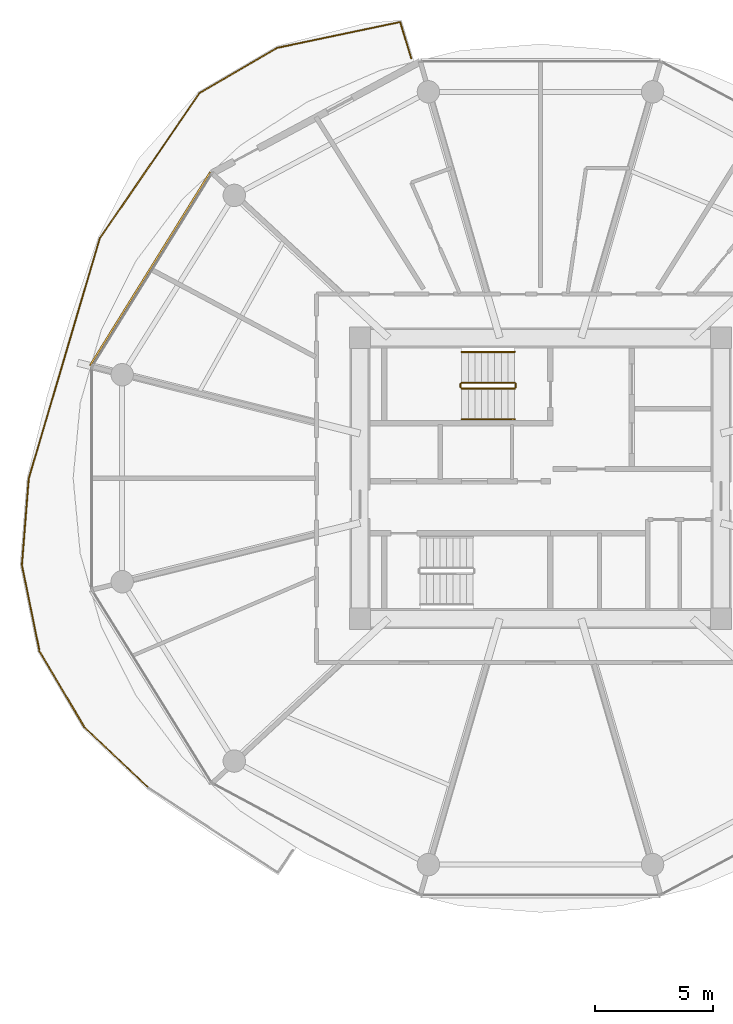
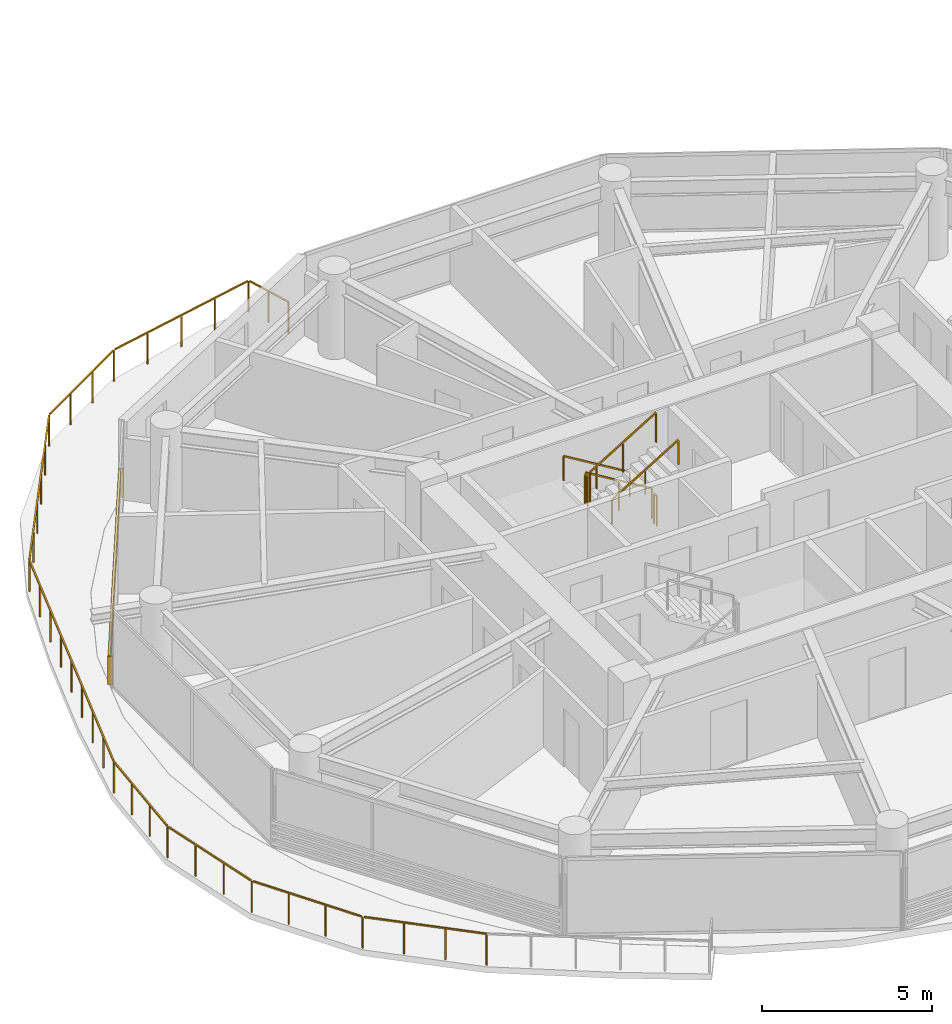
# One storey, part 24 of 27: 7 railings, 1 shading device.
"""IFC4 building model written with IfcOpenShell, lengths in metres."""

from ifc_helpers import new_model, si_unit, direction, frame, origin, origin_2d, place, context, subcontext, project, spatial, rectangle, extrude, source, transform, mapped, material, type_object, type_shapes, element, save


model = new_model("IFC4")

# Units and contexts
model_context = context("Model", 3, precision=1e-05, world=origin(), true_north=direction((0.0, 1.0)))
body_context = subcontext(model_context, "Body", "Model", "MODEL_VIEW")
ifc_project = project(units=[si_unit("LENGTHUNIT", "METRE"), si_unit("AREAUNIT", "SQUARE_METRE"), si_unit("VOLUMEUNIT", "CUBIC_METRE"), si_unit("PLANEANGLEUNIT", "RADIAN"), si_unit("MASSUNIT", "GRAM", prefix="KILO")], contexts=[model_context])

# Site, building, storey
site_placement = place(None, origin())
site = spatial("IfcSite", under=ifc_project, at=site_placement, CompositionType="ELEMENT")
building_placement = place(site_placement, origin())
building = spatial("IfcBuilding", under=site, at=building_placement, Name="Norrkilde Senior Care Towers", CompositionType="ELEMENT")
storey_placement = place(building_placement, frame((0.0, 0.0, 30.75)))
storey = spatial("IfcBuildingStorey", under=building, at=storey_placement, Name="L08", CompositionType="ELEMENT", Elevation=30.75)

# Railings
ifc_material_1 = material(Name="Anodised Aluminium", Category="aluminium")
railing_type_1 = type_object("IfcRailingType", Name="Balcony Swirl Ribbon Guardrail 1150", PredefinedType="GUARDRAIL", material=ifc_material_1)
railing_1_placement = place(storey_placement, frame((-44.614501953125, -13.11669921875, 0.0)))
element("IfcRailing", 1, at=railing_1_placement, inside=storey, type_object=railing_type_1, Name="L08 Perimeter Safety Guard 03", PredefinedType="GUARDRAIL", context=body_context, shape_type="SweptSolid", body=[
    extrude(rectangle(XDim=0.048095703125, YDim=0.048095703125, at=origin_2d()), frame((0.0, 0.0, 1.1259765625), z_axis=(-0.725974983434, 0.687721108756, 0.0), x_axis=(-0.687721108756, -0.725974983434, 0.0)), (0.0, 0.0, 1.0), 3.698974609375),
    extrude(rectangle(XDim=0.048095703125, YDim=0.048095703125, at=origin_2d()), frame((-2.73583984375, 2.607177734375, 1.1259765625), z_axis=(-0.507898124804, 0.861417143328, 0.0), x_axis=(-0.861417143328, -0.507898124804, 0.0)), (0.0, 0.0, 1.0), 3.659912109375),
    extrude(rectangle(XDim=0.048095703125, YDim=0.048095703125, at=origin_2d()), frame((-4.623779296875, 5.835205078125, 1.1259765625), z_axis=(-0.200214488119, 0.979752090453, 0.0), x_axis=(-0.979752090453, -0.200214488119, 0.0)), (0.0, 0.0, 1.0), 3.639892578125),
    extrude(rectangle(XDim=0.048095703125, YDim=0.048095703125, at=origin_2d()), frame((-5.357421875, 9.482177734375, 1.1259765625), z_axis=(0.079074375135, 0.996868719139, 0.0), x_axis=(-0.996868719139, 0.079074375135, 0.0)), (0.0, 0.0, 1.0), 3.59228515625),
    extrude(rectangle(XDim=0.048095703125, YDim=0.048095703125, at=origin_2d()), frame((-5.05859375, 13.143310546875, 1.1259765625), z_axis=(0.283597155489, 0.958943508971, 0.0), x_axis=(-0.958943508971, 0.283597155489, 0.0)), (0.0, 0.0, 1.0), 10.5302734375),
    extrude(rectangle(XDim=0.048095703125, YDim=0.048095703125, at=origin_2d()), frame((-2.037353515625, 23.31396484375, 1.1259765625), z_axis=(0.565836824848, 0.824517245208, 0.0), x_axis=(-0.824517245208, 0.565836824848, 0.0)), (0.0, 0.0, 1.0), 7.376953125),
    extrude(rectangle(XDim=0.048095703125, YDim=0.048095703125, at=origin_2d()), frame((2.1953125, 29.45068359375, 1.1259765625), z_axis=(0.864132555793, 0.503264270557, 0.0), x_axis=(-0.503264270557, 0.864132555793, 0.0)), (0.0, 0.0, 1.0), 3.746826171875),
    extrude(rectangle(XDim=0.048095703125, YDim=0.048095703125, at=origin_2d()), frame((5.50830078125, 31.365234375, 1.1259765625), z_axis=(0.978679729298, 0.205392277023, 0.0), x_axis=(-0.205392277023, 0.978679729298, 0.0)), (0.0, 0.0, 1.0), 5.232666015625),
    extrude(rectangle(XDim=0.048095703125, YDim=0.048095703125, at=origin_2d()), frame((10.681396484375, 32.409423828125, 1.1259765625), z_axis=(0.290252525209, -0.956950088359, 0.0), x_axis=(0.956950088359, 0.290252525209, 0.0)), (0.0, 0.0, 1.0), 1.562255859375),
    extrude(rectangle(XDim=0.0419921875, YDim=0.0419921875, at=origin_2d()), origin(), (0.0, 0.0, 1.0), 1.099853515625),
    extrude(rectangle(XDim=0.0419921875, YDim=0.0419921875, at=origin_2d()), frame((-0.905029296875, 0.857421875, 0.0)), (0.0, 0.0, 1.0), 1.099853515625),
    extrude(rectangle(XDim=0.0419921875, YDim=0.0419921875, at=origin_2d()), frame((-1.81005859375, 1.714599609375, 0.0)), (0.0, 0.0, 1.0), 1.099853515625),
    extrude(rectangle(XDim=0.0419921875, YDim=0.0419921875, at=origin_2d()), frame((-2.715087890625, 2.572021484375, 0.0)), (0.0, 0.0, 1.0), 1.099853515625),
    extrude(rectangle(XDim=0.0419921875, YDim=0.0419921875, at=origin_2d()), frame((-3.3486328125, 3.646484375, 0.0)), (0.0, 0.0, 1.0), 1.099853515625),
    extrude(rectangle(XDim=0.0419921875, YDim=0.0419921875, at=origin_2d()), frame((-3.98193359375, 4.720703125, 0.0)), (0.0, 0.0, 1.0), 1.099853515625),
    extrude(rectangle(XDim=0.0419921875, YDim=0.0419921875, at=origin_2d()), frame((-4.615478515625, 5.795166015625, 0.0)), (0.0, 0.0, 1.0), 1.099853515625),
    extrude(rectangle(XDim=0.0419921875, YDim=0.0419921875, at=origin_2d()), frame((-4.86376953125, 7.010498046875, 0.0)), (0.0, 0.0, 1.0), 1.099853515625),
    extrude(rectangle(XDim=0.0419921875, YDim=0.0419921875, at=origin_2d()), frame((-5.1123046875, 8.22607421875, 0.0)), (0.0, 0.0, 1.0), 1.099853515625),
    extrude(rectangle(XDim=0.0419921875, YDim=0.0419921875, at=origin_2d()), frame((-5.360595703125, 9.44140625, 0.0)), (0.0, 0.0, 1.0), 1.099853515625),
    extrude(rectangle(XDim=0.0419921875, YDim=0.0419921875, at=origin_2d()), frame((-5.263671875, 10.662353515625, 0.0)), (0.0, 0.0, 1.0), 1.099853515625),
    extrude(rectangle(XDim=0.0419921875, YDim=0.0419921875, at=origin_2d()), frame((-5.1669921875, 11.883056640625, 0.0)), (0.0, 0.0, 1.0), 1.099853515625),
    extrude(rectangle(XDim=0.0419921875, YDim=0.0419921875, at=origin_2d()), frame((-5.070068359375, 13.10400390625, 0.0)), (0.0, 0.0, 1.0), 1.099853515625),
    extrude(rectangle(XDim=0.0419921875, YDim=0.0419921875, at=origin_2d()), frame((-4.69384765625, 14.3759765625, 0.0)), (0.0, 0.0, 1.0), 1.099853515625),
    extrude(rectangle(XDim=0.0419921875, YDim=0.0419921875, at=origin_2d()), frame((-4.317626953125, 15.64794921875, 0.0)), (0.0, 0.0, 1.0), 1.099853515625),
    extrude(rectangle(XDim=0.0419921875, YDim=0.0419921875, at=origin_2d()), frame((-3.94140625, 16.920166015625, 0.0)), (0.0, 0.0, 1.0), 1.099853515625),
    extrude(rectangle(XDim=0.0419921875, YDim=0.0419921875, at=origin_2d()), frame((-3.5654296875, 18.192138671875, 0.0)), (0.0, 0.0, 1.0), 1.099853515625),
    extrude(rectangle(XDim=0.0419921875, YDim=0.0419921875, at=origin_2d()), frame((-3.189208984375, 19.464111328125, 0.0)), (0.0, 0.0, 1.0), 1.099853515625),
    extrude(rectangle(XDim=0.0419921875, YDim=0.0419921875, at=origin_2d()), frame((-2.81298828125, 20.736328125, 0.0)), (0.0, 0.0, 1.0), 1.099853515625),
    extrude(rectangle(XDim=0.0419921875, YDim=0.0419921875, at=origin_2d()), frame((-2.436767578125, 22.00830078125, 0.0)), (0.0, 0.0, 1.0), 1.099853515625),
    extrude(rectangle(XDim=0.0419921875, YDim=0.0419921875, at=origin_2d()), frame((-2.060546875, 23.2802734375, 0.0)), (0.0, 0.0, 1.0), 1.099853515625),
    extrude(rectangle(XDim=0.0419921875, YDim=0.0419921875, at=origin_2d()), frame((-1.216552734375, 24.51025390625, 0.0)), (0.0, 0.0, 1.0), 1.099853515625),
    extrude(rectangle(XDim=0.0419921875, YDim=0.0419921875, at=origin_2d()), frame((-0.372314453125, 25.740234375, 0.0)), (0.0, 0.0, 1.0), 1.099853515625),
    extrude(rectangle(XDim=0.0419921875, YDim=0.0419921875, at=origin_2d()), frame((0.4716796875, 26.97021484375, 0.0)), (0.0, 0.0, 1.0), 1.099853515625),
    extrude(rectangle(XDim=0.0419921875, YDim=0.0419921875, at=origin_2d()), frame((1.31591796875, 28.2001953125, 0.0)), (0.0, 0.0, 1.0), 1.099853515625),
    extrude(rectangle(XDim=0.0419921875, YDim=0.0419921875, at=origin_2d()), frame((2.159912109375, 29.43017578125, 0.0)), (0.0, 0.0, 1.0), 1.099853515625),
    extrude(rectangle(XDim=0.0419921875, YDim=0.0419921875, at=origin_2d()), frame((3.2626953125, 30.072509765625, 0.0)), (0.0, 0.0, 1.0), 1.099853515625),
    extrude(rectangle(XDim=0.0419921875, YDim=0.0419921875, at=origin_2d()), frame((4.365478515625, 30.714599609375, 0.0)), (0.0, 0.0, 1.0), 1.099853515625),
    extrude(rectangle(XDim=0.0419921875, YDim=0.0419921875, at=origin_2d()), frame((5.46826171875, 31.35693359375, 0.0)), (0.0, 0.0, 1.0), 1.099853515625),
    extrude(rectangle(XDim=0.0419921875, YDim=0.0419921875, at=origin_2d()), frame((6.7685546875, 31.6298828125, 0.0)), (0.0, 0.0, 1.0), 1.099853515625),
    extrude(rectangle(XDim=0.0419921875, YDim=0.0419921875, at=origin_2d()), frame((8.06884765625, 31.90283203125, 0.0)), (0.0, 0.0, 1.0), 1.099853515625),
    extrude(rectangle(XDim=0.0419921875, YDim=0.0419921875, at=origin_2d()), frame((9.369140625, 32.175537109375, 0.0)), (0.0, 0.0, 1.0), 1.099853515625),
    extrude(rectangle(XDim=0.0419921875, YDim=0.0419921875, at=origin_2d()), frame((10.66943359375, 32.448486328125, 0.0)), (0.0, 0.0, 1.0), 1.099853515625),
    extrude(rectangle(XDim=0.0419921875, YDim=0.0419921875, at=origin_2d()), frame((10.902099609375, 31.681396484375, 0.0)), (0.0, 0.0, 1.0), 1.099853515625),
    extrude(rectangle(XDim=0.0419921875, YDim=0.0419921875, at=origin_2d()), frame((11.134765625, 30.914306640625, 0.0)), (0.0, 0.0, 1.0), 1.099853515625),
])
ifc_material_2 = material(Name="Stainless Steel", Category="steel")
railing_type_2 = type_object("IfcRailingType", Name="Stair and Terrace Guardrail 1100", PredefinedType="GUARDRAIL", material=ifc_material_2)
railing_2_placement = place(storey_placement, frame((-29.10009765625, 4.050048828125, 0.16943359375)))
element("IfcRailing", 2, at=railing_2_placement, inside=storey, type_object=railing_type_2, Name="L08 ST-W1 stair guard 1", PredefinedType="GUARDRAIL", context=body_context, shape_type="SweptSolid", body=[
    extrude(rectangle(XDim=0.048095703125, YDim=0.048095703125, at=origin_2d()), frame((0.0, 0.0, 1.076171875), z_axis=(-0.855553338991, 0.0, 0.51771467445), x_axis=(0.0, -1.0, 0.0)), (0.0, 0.0, 1.0), 2.6181640625),
    extrude(rectangle(XDim=0.0419921875, YDim=0.0419921875, at=origin_2d()), origin(), (0.0, 0.0, 1.0), 1.050048828125),
    extrude(rectangle(XDim=0.0419921875, YDim=0.0419921875, at=origin_2d()), frame((-1.1201171875, 0.0, 0.677734375)), (0.0, 0.0, 1.0), 1.050048828125),
    extrude(rectangle(XDim=0.0419921875, YDim=0.0419921875, at=origin_2d()), frame((-2.239990234375, 0.0, 1.35546875)), (0.0, 0.0, 1.0), 1.050048828125),
])
railing_3_placement = place(storey_placement, frame((-31.389892578125, 4.0, 1.52490234375)))
element("IfcRailing", 3, at=railing_3_placement, inside=storey, type_object=railing_type_2, Name="L08 ST-W1 stair guard 2", PredefinedType="GUARDRAIL", context=body_context, shape_type="SweptSolid", body=[
    extrude(rectangle(XDim=0.048095703125, YDim=0.048095703125, at=origin_2d()), frame((0.0, 0.0, 1.076171875), z_axis=(0.0, -1.0, 0.0), x_axis=(1.0, 0.0, 0.0)), (0.0, 0.0, 1.0), 0.14990234375),
    extrude(rectangle(XDim=0.0419921875, YDim=0.0419921875, at=origin_2d()), origin(), (0.0, 0.0, 1.0), 1.050048828125),
    extrude(rectangle(XDim=0.0419921875, YDim=0.0419921875, at=origin_2d()), frame((0.0, -0.14990234375, 0.0)), (0.0, 0.0, 1.0), 1.050048828125),
])
railing_4_placement = place(storey_placement, frame((-31.340087890625, 3.800048828125, 1.6943359375)))
element("IfcRailing", 4, at=railing_4_placement, inside=storey, type_object=railing_type_2, Name="L08 ST-W1 stair guard 3", PredefinedType="GUARDRAIL", context=body_context, shape_type="SweptSolid", body=[
    extrude(rectangle(XDim=0.048095703125, YDim=0.048095703125, at=origin_2d()), frame((0.0, 0.0, 1.076171875), z_axis=(0.855512035549, 0.0, 0.517782924622), x_axis=(0.0, 1.0, 0.0)), (0.0, 0.0, 1.0), 2.618408203125),
    extrude(rectangle(XDim=0.0419921875, YDim=0.0419921875, at=origin_2d()), origin(), (0.0, 0.0, 1.0), 1.050048828125),
    extrude(rectangle(XDim=0.0419921875, YDim=0.0419921875, at=origin_2d()), frame((1.1201171875, 0.0, 0.677734375)), (0.0, 0.0, 1.0), 1.050048828125),
    extrude(rectangle(XDim=0.0419921875, YDim=0.0419921875, at=origin_2d()), frame((2.239990234375, 0.0, 1.355712890625)), (0.0, 0.0, 1.0), 1.050048828125),
])
railing_5_placement = place(storey_placement, frame((-29.050048828125, 4.0, 0.0)))
element("IfcRailing", 5, at=railing_5_placement, inside=storey, type_object=railing_type_2, Name="L08 ST-W1 stair guard 4", PredefinedType="GUARDRAIL", context=body_context, shape_type="SweptSolid", body=[
    extrude(rectangle(XDim=0.048095703125, YDim=0.048095703125, at=origin_2d()), frame((0.0, 0.0, 1.076171875), z_axis=(0.0, -1.0, 0.0), x_axis=(1.0, 0.0, 0.0)), (0.0, 0.0, 1.0), 0.14990234375),
    extrude(rectangle(XDim=0.0419921875, YDim=0.0419921875, at=origin_2d()), origin(), (0.0, 0.0, 1.0), 1.050048828125),
    extrude(rectangle(XDim=0.0419921875, YDim=0.0419921875, at=origin_2d()), frame((0.0, -0.14990234375, 0.0)), (0.0, 0.0, 1.0), 1.050048828125),
])
ifc_material_3 = material(Name="Nordic Ash Timber", Category="wood")
railing_type_3 = type_object("IfcRailingType", Name="Wall and Stair Handrail 900", PredefinedType="HANDRAIL", material=ifc_material_3)
railing_6_placement = place(storey_placement, frame((-29.10009765625, 5.35009765625, 0.16943359375)))
element("IfcRailing", 6, at=railing_6_placement, inside=storey, type_object=railing_type_3, Name="L08 ST-W1 stair handrail 1", PredefinedType="HANDRAIL", context=body_context, shape_type="SweptSolid", body=[
    extrude(rectangle(XDim=0.048095703125, YDim=0.048095703125, at=origin_2d()), frame((0.0, 0.0, 0.8759765625), z_axis=(-0.855553338991, 0.0, 0.51771467445), x_axis=(0.0, -1.0, 0.0)), (0.0, 0.0, 1.0), 2.6181640625),
    extrude(rectangle(XDim=0.0419921875, YDim=0.0419921875, at=origin_2d()), origin(), (0.0, 0.0, 1.0), 0.849853515625),
    extrude(rectangle(XDim=0.0419921875, YDim=0.0419921875, at=origin_2d()), frame((-1.1201171875, 0.0, 0.677734375)), (0.0, 0.0, 1.0), 0.849853515625),
    extrude(rectangle(XDim=0.0419921875, YDim=0.0419921875, at=origin_2d()), frame((-2.239990234375, 0.0, 1.35546875)), (0.0, 0.0, 1.0), 0.849853515625),
])
railing_7_placement = place(storey_placement, frame((-31.340087890625, 2.5, 1.6943359375)))
element("IfcRailing", 7, at=railing_7_placement, inside=storey, type_object=railing_type_3, Name="L08 ST-W1 stair handrail 2", PredefinedType="HANDRAIL", context=body_context, shape_type="SweptSolid", body=[
    extrude(rectangle(XDim=0.048095703125, YDim=0.048095703125, at=origin_2d()), frame((0.0, 0.0, 0.8759765625), z_axis=(0.855512035549, 0.0, 0.517782924622), x_axis=(0.0, 1.0, 0.0)), (0.0, 0.0, 1.0), 2.618408203125),
    extrude(rectangle(XDim=0.0419921875, YDim=0.0419921875, at=origin_2d()), origin(), (0.0, 0.0, 1.0), 0.849853515625),
    extrude(rectangle(XDim=0.0419921875, YDim=0.0419921875, at=origin_2d()), frame((1.1201171875, 0.0, 0.677734375)), (0.0, 0.0, 1.0), 0.849853515625),
    extrude(rectangle(XDim=0.0419921875, YDim=0.0419921875, at=origin_2d()), frame((2.239990234375, 0.0, 1.355712890625)), (0.0, 0.0, 1.0), 0.849853515625),
])

# Shading device
ifc_material_4 = material(Name="Architectural Terracotta", Category="masonry")
shading_device_type = type_object("IfcShadingDeviceType", Name="Horizontal Terracotta Baguette Rack", PredefinedType="USERDEFINED", material=ifc_material_4)
shared_shape = source(origin(), body_context, "Body", "SweptSolid", [
    extrude(rectangle(XDim=0.070068359375, YDim=0.110107421875, at=origin_2d()), frame((0.0, 0.090087890625, 0.125), z_axis=(1.0, 0.0, 0.0), x_axis=(0.0, 1.0, 0.0)), (0.0, 0.0, 1.0), 9.64892578125),
    extrude(rectangle(XDim=0.070068359375, YDim=0.110107421875, at=origin_2d()), frame((0.0, 0.090087890625, 0.375), z_axis=(1.0, 0.0, 0.0), x_axis=(0.0, 1.0, 0.0)), (0.0, 0.0, 1.0), 9.64892578125),
    extrude(rectangle(XDim=0.070068359375, YDim=0.110107421875, at=origin_2d()), frame((0.0, 0.090087890625, 0.625), z_axis=(1.0, 0.0, 0.0), x_axis=(0.0, 1.0, 0.0)), (0.0, 0.0, 1.0), 9.64892578125),
    extrude(rectangle(XDim=0.070068359375, YDim=0.110107421875, at=origin_2d()), frame((0.0, 0.090087890625, 0.875), z_axis=(1.0, 0.0, 0.0), x_axis=(0.0, 1.0, 0.0)), (0.0, 0.0, 1.0), 9.64892578125),
    extrude(rectangle(XDim=0.050048828125, YDim=0.1552734375, at=origin_2d()), frame((0.02490234375, 0.047607421875, 0.0)), (0.0, 0.0, 1.0), 1.0),
    extrude(rectangle(XDim=0.050048828125, YDim=0.1552734375, at=origin_2d()), frame((9.6240234375, 0.047607421875, 0.0)), (0.0, 0.0, 1.0), 1.0),
])
type_shapes(shading_device_type, [shared_shape])
shading_device_placement = place(storey_placement, frame((-47.009521484375, 4.731201171875, 0.080078125), z_axis=(0.0, 0.0, 1.0), x_axis=(0.527908506655, 0.849299124538, 0.0)))
element("IfcShadingDevice", 8, at=shading_device_placement, inside=storey, type_object=shading_device_type, Name="L08 Drum W Terracotta Baguette Screen 04", ObjectType="BAGUETTE", PredefinedType="USERDEFINED", context=body_context, shape_type="MappedRepresentation", body=[
    mapped(shared_shape, transform((0.0, 0.0, 0.0), x_axis=(1.0, 0.0, 0.0), y_axis=(0.0, 1.0, 0.0), z_axis=(0.0, 0.0, 1.0), scale=1.0)),
])

save(model, "model.ifc")
